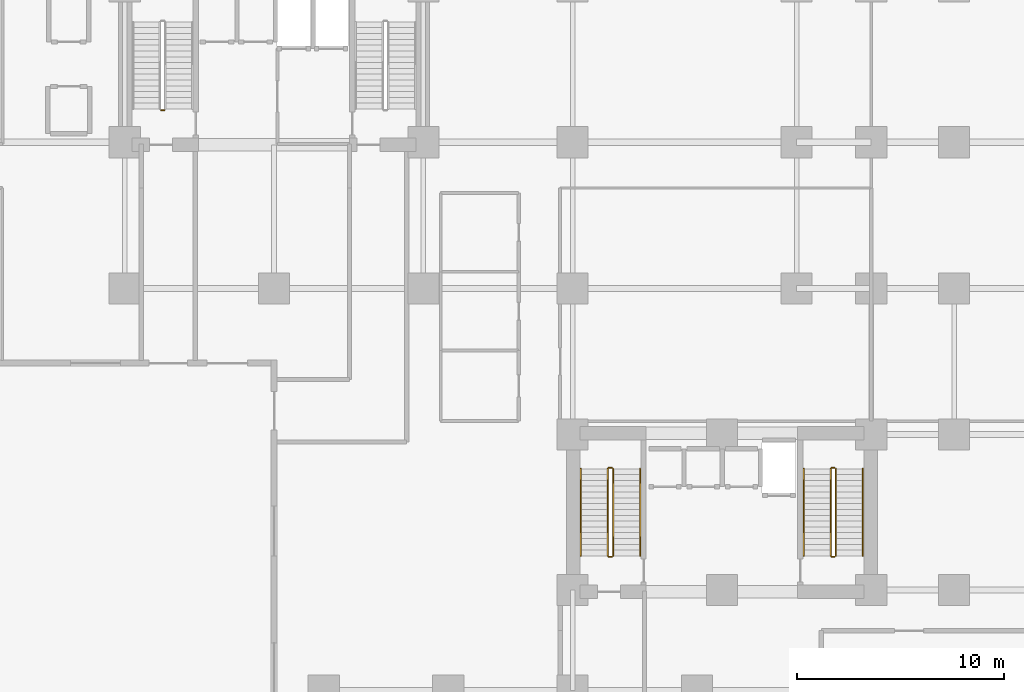
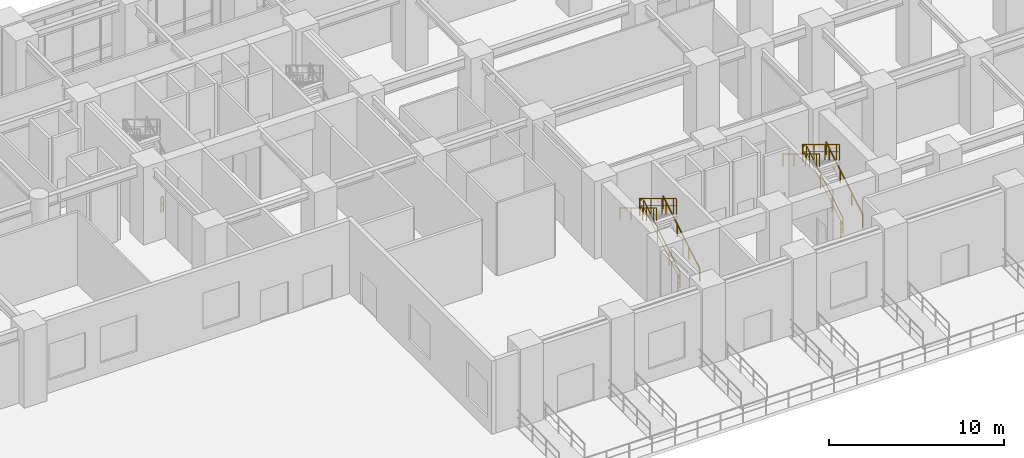
# One storey, part 20 of 22: 13 railings.
"""IFC4 building model written with IfcOpenShell, lengths in metres."""

from ifc_helpers import new_model, si_unit, direction, frame, origin, origin_2d, place, context, subcontext, project, spatial, rectangle, extrude, material, type_object, element, save


model = new_model("IFC4")

# Units and contexts
model_context = context("Model", 3, precision=1e-05, world=origin(), true_north=direction((0.0, 1.0)))
body_context = subcontext(model_context, "Body", "Model", "MODEL_VIEW")
ifc_project = project(units=[si_unit("LENGTHUNIT", "METRE"), si_unit("AREAUNIT", "SQUARE_METRE"), si_unit("VOLUMEUNIT", "CUBIC_METRE"), si_unit("PLANEANGLEUNIT", "RADIAN"), si_unit("MASSUNIT", "GRAM", prefix="KILO")], contexts=[model_context])

# Site, building, storey
site_placement = place(None, origin())
site = spatial("IfcSite", under=ifc_project, at=site_placement, CompositionType="ELEMENT")
building_placement = place(site_placement, origin())
building = spatial("IfcBuilding", under=site, at=building_placement, Name="Kaliganga Portal Commons", CompositionType="ELEMENT")
storey_placement = place(building_placement, origin())
storey = spatial("IfcBuildingStorey", under=building, at=storey_placement, Name="L00", CompositionType="ELEMENT", Elevation=0.0)

# Railings
ifc_material_1 = material(Name="Galvanized Painted Steel Balustrade", Category="steel")
railing_type_1 = type_object("IfcRailingType", Name="RLG-STAIR-GRD", PredefinedType="GUARDRAIL", material=ifc_material_1)
railing_1_placement = place(storey_placement, frame((16.300048828125, 30.199951171875, 0.0)))
element("IfcRailing", 1, at=railing_1_placement, inside=storey, type_object=railing_type_1, Name="L00 ST-A1 stair guard 4", PredefinedType="GUARDRAIL", context=body_context, shape_type="SweptSolid", body=[
    extrude(rectangle(XDim=0.048095703125, YDim=0.048095703125, at=origin_2d()), frame((0.0, 0.0, 1.076171875), z_axis=(-1.0, 0.0, 0.0), x_axis=(0.0, -1.0, 0.0)), (0.0, 0.0, 1.0), 0.150146484375),
    extrude(rectangle(XDim=0.028076171875, YDim=0.028076171875, at=origin_2d()), frame((0.0, 0.0, 0.572021484375), z_axis=(-1.0, 0.0, 0.0), x_axis=(0.0, -1.0, 0.0)), (0.0, 0.0, 1.0), 0.150146484375),
    extrude(rectangle(XDim=0.0419921875, YDim=0.0419921875, at=origin_2d()), origin(), (0.0, 0.0, 1.0), 1.052001953125),
    extrude(rectangle(XDim=0.0419921875, YDim=0.0419921875, at=origin_2d()), frame((-0.150146484375, 0.0, 0.0)), (0.0, 0.0, 1.0), 1.052001953125),
])
railing_2_placement = place(storey_placement, frame((37.949951171875, 8.699951171875, 0.168701171875)))
element("IfcRailing", 2, at=railing_2_placement, inside=storey, type_object=railing_type_1, Name="L00 ST-B1 stair guard 1", PredefinedType="GUARDRAIL", context=body_context, shape_type="SweptSolid", body=[
    extrude(rectangle(XDim=0.048095703125, YDim=0.048095703125, at=origin_2d()), frame((0.0, 0.0, 1.072021484375), z_axis=(0.0, 0.856476492594, 0.516186030065), x_axis=(-1.0, 0.0, 0.0)), (0.0, 0.0, 1.0), 4.90380859375),
    extrude(rectangle(XDim=0.028076171875, YDim=0.028076171875, at=origin_2d()), frame((0.0, 0.0, 0.572021484375), z_axis=(0.0, 0.856476492594, 0.516186030065), x_axis=(-1.0, 0.0, 0.0)), (0.0, 0.0, 1.0), 4.90380859375),
    extrude(rectangle(XDim=0.0419921875, YDim=0.0419921875, at=origin_2d()), origin(), (0.0, 0.0, 1.0), 1.052001953125),
    extrude(rectangle(XDim=0.0419921875, YDim=0.0419921875, at=origin_2d()), frame((0.0, 1.28466796875, 0.774169921875)), (0.0, 0.0, 1.0), 1.052001953125),
    extrude(rectangle(XDim=0.0419921875, YDim=0.0419921875, at=origin_2d()), frame((0.0, 2.5693359375, 1.548583984375)), (0.0, 0.0, 1.0), 1.052001953125),
    extrude(rectangle(XDim=0.0419921875, YDim=0.0419921875, at=origin_2d()), frame((0.0, 3.854248046875, 2.32275390625)), (0.0, 0.0, 1.0), 1.052001953125),
    extrude(rectangle(XDim=0.0419921875, YDim=0.0419921875, at=origin_2d()), frame((0.0, 4.199951171875, 2.53125)), (0.0, 0.0, 1.0), 1.052001953125),
])
railing_3_placement = place(storey_placement, frame((37.89990234375, 12.949951171875, 2.699951171875)))
element("IfcRailing", 3, at=railing_3_placement, inside=storey, type_object=railing_type_1, Name="L00 ST-B1 stair guard 2", PredefinedType="GUARDRAIL", context=body_context, shape_type="SweptSolid", body=[
    extrude(rectangle(XDim=0.048095703125, YDim=0.048095703125, at=origin_2d()), frame((0.0, 0.0, 1.076171875), z_axis=(-1.0, 0.0, 0.0), x_axis=(0.0, -1.0, 0.0)), (0.0, 0.0, 1.0), 0.14990234375),
    extrude(rectangle(XDim=0.028076171875, YDim=0.028076171875, at=origin_2d()), frame((0.0, 0.0, 0.572021484375), z_axis=(-1.0, 0.0, 0.0), x_axis=(0.0, -1.0, 0.0)), (0.0, 0.0, 1.0), 0.14990234375),
    extrude(rectangle(XDim=0.0419921875, YDim=0.0419921875, at=origin_2d()), frame((-0.14990234375, 0.0, 0.0)), (0.0, 0.0, 1.0), 1.052001953125),
])
railing_4_placement = place(storey_placement, frame((37.699951171875, 12.89990234375, 2.86865234375)))
element("IfcRailing", 4, at=railing_4_placement, inside=storey, type_object=railing_type_1, Name="L00 ST-B1 stair guard 3", PredefinedType="GUARDRAIL", context=body_context, shape_type="SweptSolid", body=[
    extrude(rectangle(XDim=0.048095703125, YDim=0.048095703125, at=origin_2d()), frame((0.0, 0.0, 1.072021484375), z_axis=(0.0, -0.856476492594, 0.516186030065), x_axis=(1.0, 0.0, 0.0)), (0.0, 0.0, 1.0), 4.90380859375),
    extrude(rectangle(XDim=0.028076171875, YDim=0.028076171875, at=origin_2d()), frame((0.0, 0.0, 0.572021484375), z_axis=(0.0, -0.856476492594, 0.516186030065), x_axis=(1.0, 0.0, 0.0)), (0.0, 0.0, 1.0), 4.90380859375),
    extrude(rectangle(XDim=0.0419921875, YDim=0.0419921875, at=origin_2d()), origin(), (0.0, 0.0, 1.0), 1.052001953125),
    extrude(rectangle(XDim=0.0419921875, YDim=0.0419921875, at=origin_2d()), frame((0.0, -1.28466796875, 0.774169921875)), (0.0, 0.0, 1.0), 1.052001953125),
    extrude(rectangle(XDim=0.0419921875, YDim=0.0419921875, at=origin_2d()), frame((0.0, -2.5693359375, 1.548583984375)), (0.0, 0.0, 1.0), 1.052001953125),
    extrude(rectangle(XDim=0.0419921875, YDim=0.0419921875, at=origin_2d()), frame((0.0, -3.854248046875, 2.32275390625)), (0.0, 0.0, 1.0), 1.052001953125),
    extrude(rectangle(XDim=0.0419921875, YDim=0.0419921875, at=origin_2d()), frame((0.0, -4.199951171875, 2.53125)), (0.0, 0.0, 1.0), 1.052001953125),
])
railing_5_placement = place(storey_placement, frame((37.89990234375, 8.64990234375, 0.0)))
element("IfcRailing", 5, at=railing_5_placement, inside=storey, type_object=railing_type_1, Name="L00 ST-B1 stair guard 4", PredefinedType="GUARDRAIL", context=body_context, shape_type="SweptSolid", body=[
    extrude(rectangle(XDim=0.048095703125, YDim=0.048095703125, at=origin_2d()), frame((0.0, 0.0, 1.076171875), z_axis=(-1.0, 0.0, 0.0), x_axis=(0.0, -1.0, 0.0)), (0.0, 0.0, 1.0), 0.14990234375),
    extrude(rectangle(XDim=0.028076171875, YDim=0.028076171875, at=origin_2d()), frame((0.0, 0.0, 0.572021484375), z_axis=(-1.0, 0.0, 0.0), x_axis=(0.0, -1.0, 0.0)), (0.0, 0.0, 1.0), 0.14990234375),
    extrude(rectangle(XDim=0.0419921875, YDim=0.0419921875, at=origin_2d()), frame((-0.14990234375, 0.0, 0.0)), (0.0, 0.0, 1.0), 1.052001953125),
])
railing_6_placement = place(storey_placement, frame((48.699951171875, 8.699951171875, 0.168701171875)))
element("IfcRailing", 6, at=railing_6_placement, inside=storey, type_object=railing_type_1, Name="L00 ST-B2 stair guard 1", PredefinedType="GUARDRAIL", context=body_context, shape_type="SweptSolid", body=[
    extrude(rectangle(XDim=0.048095703125, YDim=0.048095703125, at=origin_2d()), frame((0.0, 0.0, 1.072021484375), z_axis=(0.0, 0.856476492594, 0.516186030065), x_axis=(-1.0, 0.0, 0.0)), (0.0, 0.0, 1.0), 4.90380859375),
    extrude(rectangle(XDim=0.028076171875, YDim=0.028076171875, at=origin_2d()), frame((0.0, 0.0, 0.572021484375), z_axis=(0.0, 0.856476492594, 0.516186030065), x_axis=(-1.0, 0.0, 0.0)), (0.0, 0.0, 1.0), 4.90380859375),
    extrude(rectangle(XDim=0.0419921875, YDim=0.0419921875, at=origin_2d()), origin(), (0.0, 0.0, 1.0), 1.052001953125),
    extrude(rectangle(XDim=0.0419921875, YDim=0.0419921875, at=origin_2d()), frame((0.0, 1.28466796875, 0.774169921875)), (0.0, 0.0, 1.0), 1.052001953125),
    extrude(rectangle(XDim=0.0419921875, YDim=0.0419921875, at=origin_2d()), frame((0.0, 2.5693359375, 1.548583984375)), (0.0, 0.0, 1.0), 1.052001953125),
    extrude(rectangle(XDim=0.0419921875, YDim=0.0419921875, at=origin_2d()), frame((0.0, 3.854248046875, 2.32275390625)), (0.0, 0.0, 1.0), 1.052001953125),
    extrude(rectangle(XDim=0.0419921875, YDim=0.0419921875, at=origin_2d()), frame((0.0, 4.199951171875, 2.53125)), (0.0, 0.0, 1.0), 1.052001953125),
])
railing_7_placement = place(storey_placement, frame((48.64990234375, 12.949951171875, 2.699951171875)))
element("IfcRailing", 7, at=railing_7_placement, inside=storey, type_object=railing_type_1, Name="L00 ST-B2 stair guard 2", PredefinedType="GUARDRAIL", context=body_context, shape_type="SweptSolid", body=[
    extrude(rectangle(XDim=0.048095703125, YDim=0.048095703125, at=origin_2d()), frame((0.0, 0.0, 1.076171875), z_axis=(-1.0, 0.0, 0.0), x_axis=(0.0, -1.0, 0.0)), (0.0, 0.0, 1.0), 0.14990234375),
    extrude(rectangle(XDim=0.028076171875, YDim=0.028076171875, at=origin_2d()), frame((0.0, 0.0, 0.572021484375), z_axis=(-1.0, 0.0, 0.0), x_axis=(0.0, -1.0, 0.0)), (0.0, 0.0, 1.0), 0.14990234375),
    extrude(rectangle(XDim=0.0419921875, YDim=0.0419921875, at=origin_2d()), frame((-0.14990234375, 0.0, 0.0)), (0.0, 0.0, 1.0), 1.052001953125),
])
railing_8_placement = place(storey_placement, frame((48.449951171875, 12.89990234375, 2.86865234375)))
element("IfcRailing", 8, at=railing_8_placement, inside=storey, type_object=railing_type_1, Name="L00 ST-B2 stair guard 3", PredefinedType="GUARDRAIL", context=body_context, shape_type="SweptSolid", body=[
    extrude(rectangle(XDim=0.048095703125, YDim=0.048095703125, at=origin_2d()), frame((0.0, 0.0, 1.072021484375), z_axis=(0.0, -0.856476492594, 0.516186030065), x_axis=(1.0, 0.0, 0.0)), (0.0, 0.0, 1.0), 4.90380859375),
    extrude(rectangle(XDim=0.028076171875, YDim=0.028076171875, at=origin_2d()), frame((0.0, 0.0, 0.572021484375), z_axis=(0.0, -0.856476492594, 0.516186030065), x_axis=(1.0, 0.0, 0.0)), (0.0, 0.0, 1.0), 4.90380859375),
    extrude(rectangle(XDim=0.0419921875, YDim=0.0419921875, at=origin_2d()), origin(), (0.0, 0.0, 1.0), 1.052001953125),
    extrude(rectangle(XDim=0.0419921875, YDim=0.0419921875, at=origin_2d()), frame((0.0, -1.28466796875, 0.774169921875)), (0.0, 0.0, 1.0), 1.052001953125),
    extrude(rectangle(XDim=0.0419921875, YDim=0.0419921875, at=origin_2d()), frame((0.0, -2.5693359375, 1.548583984375)), (0.0, 0.0, 1.0), 1.052001953125),
    extrude(rectangle(XDim=0.0419921875, YDim=0.0419921875, at=origin_2d()), frame((0.0, -3.854248046875, 2.32275390625)), (0.0, 0.0, 1.0), 1.052001953125),
    extrude(rectangle(XDim=0.0419921875, YDim=0.0419921875, at=origin_2d()), frame((0.0, -4.199951171875, 2.53125)), (0.0, 0.0, 1.0), 1.052001953125),
])
railing_9_placement = place(storey_placement, frame((48.64990234375, 8.64990234375, 0.0)))
element("IfcRailing", 9, at=railing_9_placement, inside=storey, type_object=railing_type_1, Name="L00 ST-B2 stair guard 4", PredefinedType="GUARDRAIL", context=body_context, shape_type="SweptSolid", body=[
    extrude(rectangle(XDim=0.048095703125, YDim=0.048095703125, at=origin_2d()), frame((0.0, 0.0, 1.076171875), z_axis=(-1.0, 0.0, 0.0), x_axis=(0.0, -1.0, 0.0)), (0.0, 0.0, 1.0), 0.14990234375),
    extrude(rectangle(XDim=0.028076171875, YDim=0.028076171875, at=origin_2d()), frame((0.0, 0.0, 0.572021484375), z_axis=(-1.0, 0.0, 0.0), x_axis=(0.0, -1.0, 0.0)), (0.0, 0.0, 1.0), 0.14990234375),
    extrude(rectangle(XDim=0.0419921875, YDim=0.0419921875, at=origin_2d()), frame((-0.14990234375, 0.0, 0.0)), (0.0, 0.0, 1.0), 1.052001953125),
])
ifc_material_2 = material(Name="Brushed Stainless Steel 316", Category="steel")
railing_type_2 = type_object("IfcRailingType", Name="RLG-STAIR-HR", PredefinedType="HANDRAIL", material=ifc_material_2)
railing_10_placement = place(storey_placement, frame((39.25, 8.699951171875, 0.168701171875)))
element("IfcRailing", 10, at=railing_10_placement, inside=storey, type_object=railing_type_2, Name="L00 ST-B1 stair handrail 1", PredefinedType="HANDRAIL", context=body_context, shape_type="SweptSolid", body=[
    extrude(rectangle(XDim=0.048095703125, YDim=0.048095703125, at=origin_2d()), frame((0.0, 0.0, 0.871826171875), z_axis=(0.0, 0.856476492594, 0.516186030065), x_axis=(-1.0, 0.0, 0.0)), (0.0, 0.0, 1.0), 4.90380859375),
    extrude(rectangle(XDim=0.0419921875, YDim=0.0419921875, at=origin_2d()), origin(), (0.0, 0.0, 1.0), 0.851806640625),
    extrude(rectangle(XDim=0.0419921875, YDim=0.0419921875, at=origin_2d()), frame((0.0, 1.28466796875, 0.774169921875)), (0.0, 0.0, 1.0), 0.851806640625),
    extrude(rectangle(XDim=0.0419921875, YDim=0.0419921875, at=origin_2d()), frame((0.0, 2.5693359375, 1.548583984375)), (0.0, 0.0, 1.0), 0.851806640625),
    extrude(rectangle(XDim=0.0419921875, YDim=0.0419921875, at=origin_2d()), frame((0.0, 3.854248046875, 2.32275390625)), (0.0, 0.0, 1.0), 0.851806640625),
    extrude(rectangle(XDim=0.0419921875, YDim=0.0419921875, at=origin_2d()), frame((0.0, 4.199951171875, 2.53125)), (0.0, 0.0, 1.0), 0.851806640625),
])
railing_11_placement = place(storey_placement, frame((36.39990234375, 12.89990234375, 2.86865234375)))
element("IfcRailing", 11, at=railing_11_placement, inside=storey, type_object=railing_type_2, Name="L00 ST-B1 stair handrail 2", PredefinedType="HANDRAIL", context=body_context, shape_type="SweptSolid", body=[
    extrude(rectangle(XDim=0.048095703125, YDim=0.048095703125, at=origin_2d()), frame((0.0, 0.0, 0.871826171875), z_axis=(0.0, -0.856476492594, 0.516186030065), x_axis=(1.0, 0.0, 0.0)), (0.0, 0.0, 1.0), 4.90380859375),
    extrude(rectangle(XDim=0.0419921875, YDim=0.0419921875, at=origin_2d()), origin(), (0.0, 0.0, 1.0), 0.851806640625),
    extrude(rectangle(XDim=0.0419921875, YDim=0.0419921875, at=origin_2d()), frame((0.0, -1.28466796875, 0.774169921875)), (0.0, 0.0, 1.0), 0.851806640625),
    extrude(rectangle(XDim=0.0419921875, YDim=0.0419921875, at=origin_2d()), frame((0.0, -2.5693359375, 1.548583984375)), (0.0, 0.0, 1.0), 0.851806640625),
    extrude(rectangle(XDim=0.0419921875, YDim=0.0419921875, at=origin_2d()), frame((0.0, -3.854248046875, 2.32275390625)), (0.0, 0.0, 1.0), 0.851806640625),
    extrude(rectangle(XDim=0.0419921875, YDim=0.0419921875, at=origin_2d()), frame((0.0, -4.199951171875, 2.53125)), (0.0, 0.0, 1.0), 0.851806640625),
])
railing_12_placement = place(storey_placement, frame((50.0, 8.699951171875, 0.168701171875)))
element("IfcRailing", 12, at=railing_12_placement, inside=storey, type_object=railing_type_2, Name="L00 ST-B2 stair handrail 1", PredefinedType="HANDRAIL", context=body_context, shape_type="SweptSolid", body=[
    extrude(rectangle(XDim=0.048095703125, YDim=0.048095703125, at=origin_2d()), frame((0.0, 0.0, 0.871826171875), z_axis=(0.0, 0.856476492594, 0.516186030065), x_axis=(-1.0, 0.0, 0.0)), (0.0, 0.0, 1.0), 4.90380859375),
    extrude(rectangle(XDim=0.0419921875, YDim=0.0419921875, at=origin_2d()), origin(), (0.0, 0.0, 1.0), 0.851806640625),
    extrude(rectangle(XDim=0.0419921875, YDim=0.0419921875, at=origin_2d()), frame((0.0, 1.28466796875, 0.774169921875)), (0.0, 0.0, 1.0), 0.851806640625),
    extrude(rectangle(XDim=0.0419921875, YDim=0.0419921875, at=origin_2d()), frame((0.0, 2.5693359375, 1.548583984375)), (0.0, 0.0, 1.0), 0.851806640625),
    extrude(rectangle(XDim=0.0419921875, YDim=0.0419921875, at=origin_2d()), frame((0.0, 3.854248046875, 2.32275390625)), (0.0, 0.0, 1.0), 0.851806640625),
    extrude(rectangle(XDim=0.0419921875, YDim=0.0419921875, at=origin_2d()), frame((0.0, 4.199951171875, 2.53125)), (0.0, 0.0, 1.0), 0.851806640625),
])
railing_13_placement = place(storey_placement, frame((47.14990234375, 12.89990234375, 2.86865234375)))
element("IfcRailing", 13, at=railing_13_placement, inside=storey, type_object=railing_type_2, Name="L00 ST-B2 stair handrail 2", PredefinedType="HANDRAIL", context=body_context, shape_type="SweptSolid", body=[
    extrude(rectangle(XDim=0.048095703125, YDim=0.048095703125, at=origin_2d()), frame((0.0, 0.0, 0.871826171875), z_axis=(0.0, -0.856476492594, 0.516186030065), x_axis=(1.0, 0.0, 0.0)), (0.0, 0.0, 1.0), 4.90380859375),
    extrude(rectangle(XDim=0.0419921875, YDim=0.0419921875, at=origin_2d()), origin(), (0.0, 0.0, 1.0), 0.851806640625),
    extrude(rectangle(XDim=0.0419921875, YDim=0.0419921875, at=origin_2d()), frame((0.0, -1.28466796875, 0.774169921875)), (0.0, 0.0, 1.0), 0.851806640625),
    extrude(rectangle(XDim=0.0419921875, YDim=0.0419921875, at=origin_2d()), frame((0.0, -2.5693359375, 1.548583984375)), (0.0, 0.0, 1.0), 0.851806640625),
    extrude(rectangle(XDim=0.0419921875, YDim=0.0419921875, at=origin_2d()), frame((0.0, -3.854248046875, 2.32275390625)), (0.0, 0.0, 1.0), 0.851806640625),
    extrude(rectangle(XDim=0.0419921875, YDim=0.0419921875, at=origin_2d()), frame((0.0, -4.199951171875, 2.53125)), (0.0, 0.0, 1.0), 0.851806640625),
])

save(model, "model.ifc")
